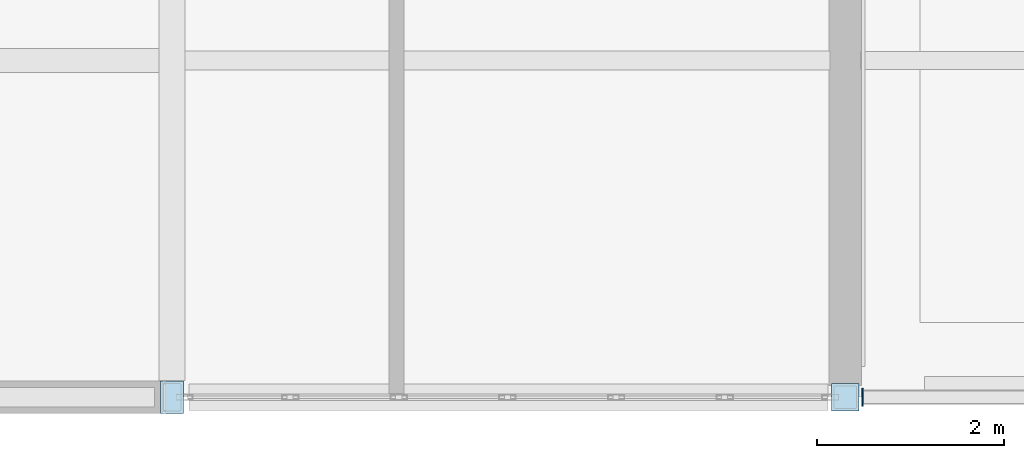
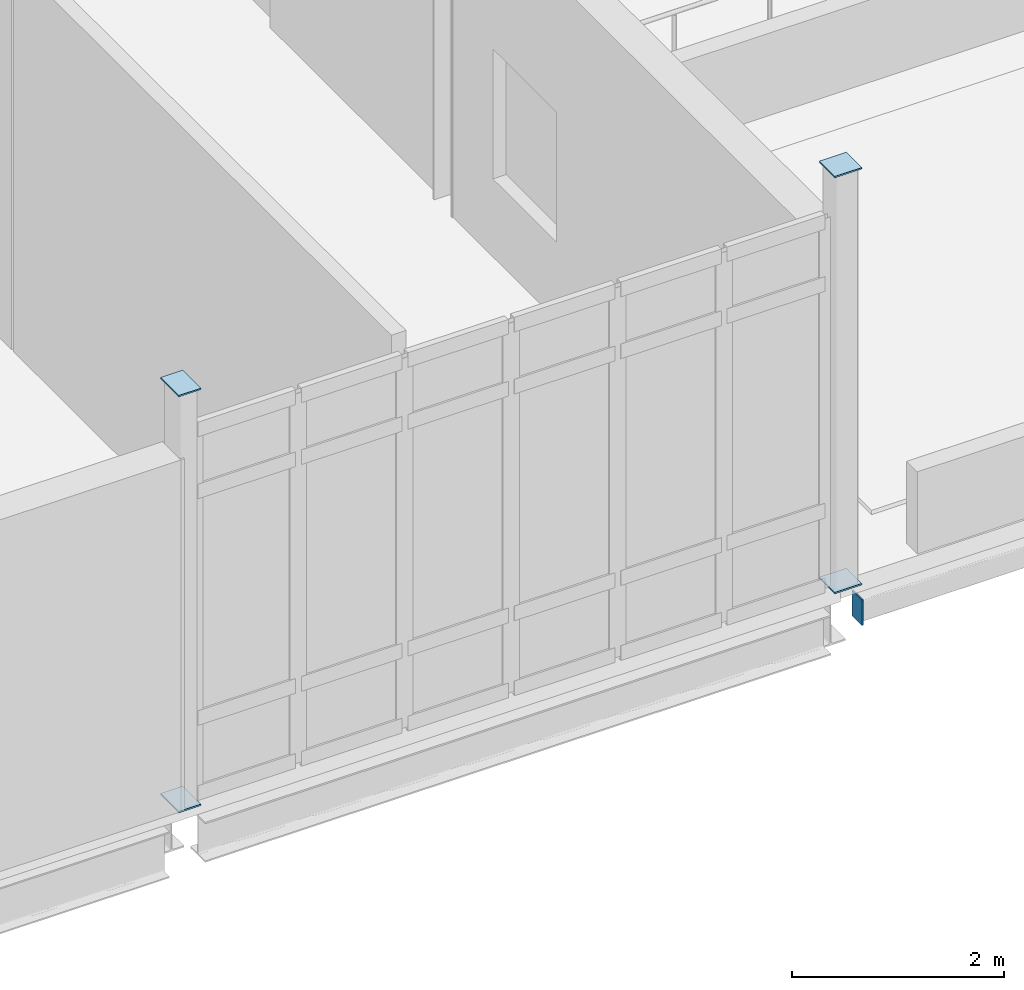
# One storey, part 41 of 72: 5 plates.
"""IFC4 building model written with IfcOpenShell, lengths in metres."""

from ifc_helpers import new_model, si_unit, direction, frame, origin, origin_2d, place, context, subcontext, project, spatial, rectangle, extrude, material, layer, layer_set, type_object, element, save


model = new_model("IFC4")

# Units and contexts
model_context = context("Model", 3, precision=1e-05, world=origin(), true_north=direction((0.0, 1.0)))
body_context = subcontext(model_context, "Body", "Model", "MODEL_VIEW")
ifc_project = project(units=[si_unit("LENGTHUNIT", "METRE"), si_unit("AREAUNIT", "SQUARE_METRE"), si_unit("VOLUMEUNIT", "CUBIC_METRE"), si_unit("PLANEANGLEUNIT", "RADIAN"), si_unit("MASSUNIT", "GRAM", prefix="KILO")], contexts=[model_context])

# Site, building, storey
site_placement = place(None, origin())
site = spatial("IfcSite", under=ifc_project, at=site_placement, CompositionType="ELEMENT")
building_placement = place(site_placement, origin())
building = spatial("IfcBuilding", under=site, at=building_placement, Name="Calvrana Isthmian Art Gallery", CompositionType="ELEMENT")
storey_placement = place(building_placement, frame((0.0, 0.0, 15.0)))
storey = spatial("IfcBuildingStorey", under=building, at=storey_placement, Name="L03", CompositionType="ELEMENT", Elevation=15.0)

# Plates
ifc_material = material(Name="Steel ASTM A572 Gr 50", Category="steel")
ifc_layer = layer(ifc_material, 0.01611328125, Name="Steel ASTM A572 Gr 50")
ifc_layer_set = layer_set([ifc_layer], Name="Steel ASTM A572 Gr 50")
plate_type = type_object("IfcPlateType", Name="PL-CAP-16", PredefinedType="SHEET", material=ifc_layer_set)
for number, where, z_axis, x_axis, name in (
    (1, (134.39990234375, 14.39990234375, -0.008056640625), (0.0, 0.0, 1.0), (1.0, 0.0, 0.0), "Hollow section end cap plate 309"),
    (2, (134.39990234375, 14.39990234375, 4.7919921875), (0.0, 0.0, 1.0), (1.0, 0.0, 0.0), "Hollow section end cap plate 310"),
):
    element("IfcPlate", number, at=place(storey_placement, frame(where, z_axis=z_axis, x_axis=x_axis)), inside=storey, type_object=plate_type, Name=name, PredefinedType="SHEET", context=body_context, shape_type="SweptSolid", body=[
        extrude(rectangle(XDim=0.2431640625, YDim=0.3447265625, at=origin_2d()), origin(), (0.0, 0.0, 1.0), 0.01611328125),
    ])
for number, where, z_axis, x_axis, name in (
    (3, (141.60009765625, 14.39990234375, -0.008056640625), (0.0, 0.0, 1.0), (1.0, 0.0, 0.0), "Hollow section end cap plate 323"),
    (4, (141.60009765625, 14.39990234375, 4.7919921875), (0.0, 0.0, 1.0), (1.0, 0.0, 0.0), "Hollow section end cap plate 324"),
):
    element("IfcPlate", number, at=place(storey_placement, frame(where, z_axis=z_axis, x_axis=x_axis)), inside=storey, type_object=plate_type, Name=name, PredefinedType="SHEET", context=body_context, shape_type="SweptSolid", body=[
        extrude(rectangle(XDim=0.2939453125, YDim=0.2939453125, at=origin_2d()), origin(), (0.0, 0.0, 1.0), 0.01611328125),
    ])
plate_placement = place(storey_placement, frame((141.78662109375, 14.39990234375, -0.51904296875), z_axis=(0.0, 0.0, 1.0), x_axis=(1.0, 0.0, 0.0)))
element("IfcPlate", 5, at=plate_placement, inside=storey, type_object=plate_type, Name="Hollow section end cap plate 471", PredefinedType="SHEET", context=body_context, shape_type="SweptSolid", body=[
    extrude(rectangle(XDim=0.01611328125, YDim=0.1923828125, at=origin_2d()), origin(), (0.0, 0.0, 1.0), 0.2939453125),
])

save(model, "model.ifc")
